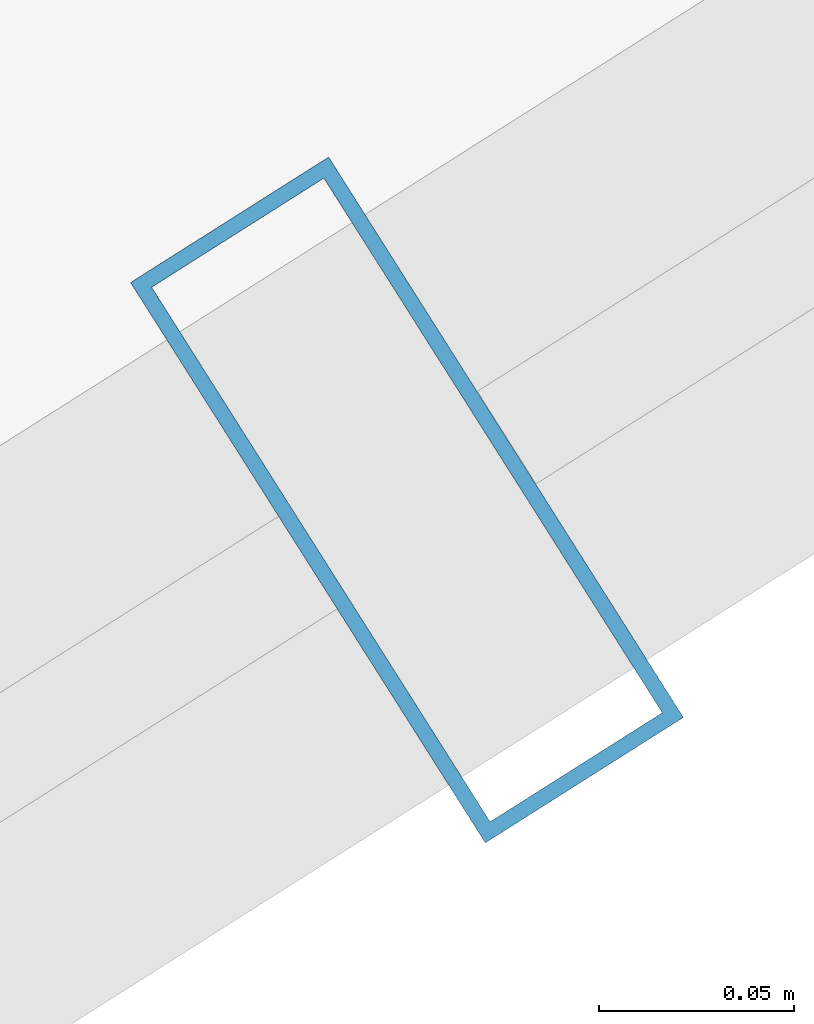
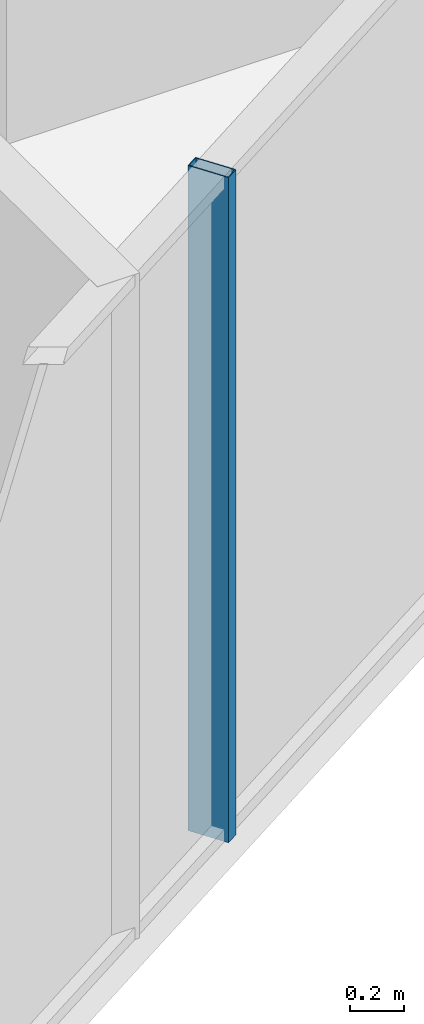
# One storey, part 7 of 32: 1 member, 1 element without a shape of its own.
"""IFC4 building model written with IfcOpenShell, lengths in metres."""

from ifc_helpers import new_model, si_unit, direction, frame, origin, origin_2d, place, context, subcontext, project, spatial, hollow_rectangle, extrude, source, transform, mapped, material, layer, layer_set, material_profile, profile_set, type_object, element, aggregate, save


model = new_model("IFC4")

# Units and contexts
model_context = context("Model", 3, precision=1e-05, world=origin(), true_north=direction((0.0, 1.0)))
body_context = subcontext(model_context, "Body", "Model", "MODEL_VIEW")
ifc_project = project(units=[si_unit("LENGTHUNIT", "METRE"), si_unit("AREAUNIT", "SQUARE_METRE"), si_unit("VOLUMEUNIT", "CUBIC_METRE"), si_unit("PLANEANGLEUNIT", "RADIAN"), si_unit("MASSUNIT", "GRAM", prefix="KILO")], contexts=[model_context])

# Site, building, storey
site_placement = place(None, origin())
site = spatial("IfcSite", under=ifc_project, at=site_placement, CompositionType="ELEMENT")
building_placement = place(site_placement, origin())
building = spatial("IfcBuilding", under=site, at=building_placement, Name="Veraguas Prism Commons", CompositionType="ELEMENT")
storey_placement = place(building_placement, frame((0.0, 0.0, 136.0)))
storey = spatial("IfcBuildingStorey", under=building, at=storey_placement, Name="L38", CompositionType="ELEMENT", Elevation=136.0)

# Curtain wall, member
ifc_material = material(Name="Anodised aluminium EN AW-6063 T6", Category="aluminium")
ifc_layer = layer(ifc_material, 0.169921875, Name="Unitised Flush Curtain Wall Zone 2", Category="aluminium")
ifc_layer_set = layer_set([ifc_layer], Name="Anodised aluminium EN AW-6063 T6")
curtain_wall_type = type_object("IfcCurtainWallType", Name="Unitised Flush Curtain Wall Zone 2", PredefinedType="NOTDEFINED", material=ifc_layer_set)
curtain_wall_placement = place(storey_placement, origin())
curtain_wall = element("IfcCurtainWall", 1, at=curtain_wall_placement, inside=storey, type_object=curtain_wall_type, Name="Tower Facade Curtain Wall L38-F5", PredefinedType="NOTDEFINED")
ifc_material_profile = material_profile(ifc_material, hollow_rectangle(XDim=0.06005859375, YDim=0.169921875, WallThickness=0.00390625, at=origin_2d()), Name="AL60X170X4")
ifc_profile_set = profile_set([ifc_material_profile], Name="Anodised aluminium EN AW-6063 T6")
member_type = type_object("IfcMemberType", Name="Curtain Wall Mullion Lower AL 60x170x4", PredefinedType="MULLION", material=ifc_profile_set)
shared_shape = source(origin(), body_context, "Body", "SweptSolid", [
    extrude(hollow_rectangle(XDim=0.06005859375, YDim=0.169921875, WallThickness=0.00390625, at=origin_2d()), origin(), (0.0, 0.0, 1.0), 3.0),
])
member_placement = place(storey_placement, frame((34.261474609375, 7.79296875, 0.0), z_axis=(0.0, 0.0, 1.0), x_axis=(0.844887645301, 0.534943797813, 0.0)))
member = element("IfcMember", 2, at=member_placement, type_object=member_type, Name="CW-Z2 Mullion 3", PredefinedType="MULLION", context=body_context, shape_type="MappedRepresentation", body=[
    mapped(shared_shape, transform((0.0, 0.0, 0.0), scale=1.0)),
])
aggregate(curtain_wall, [member])

save(model, "model.ifc")
